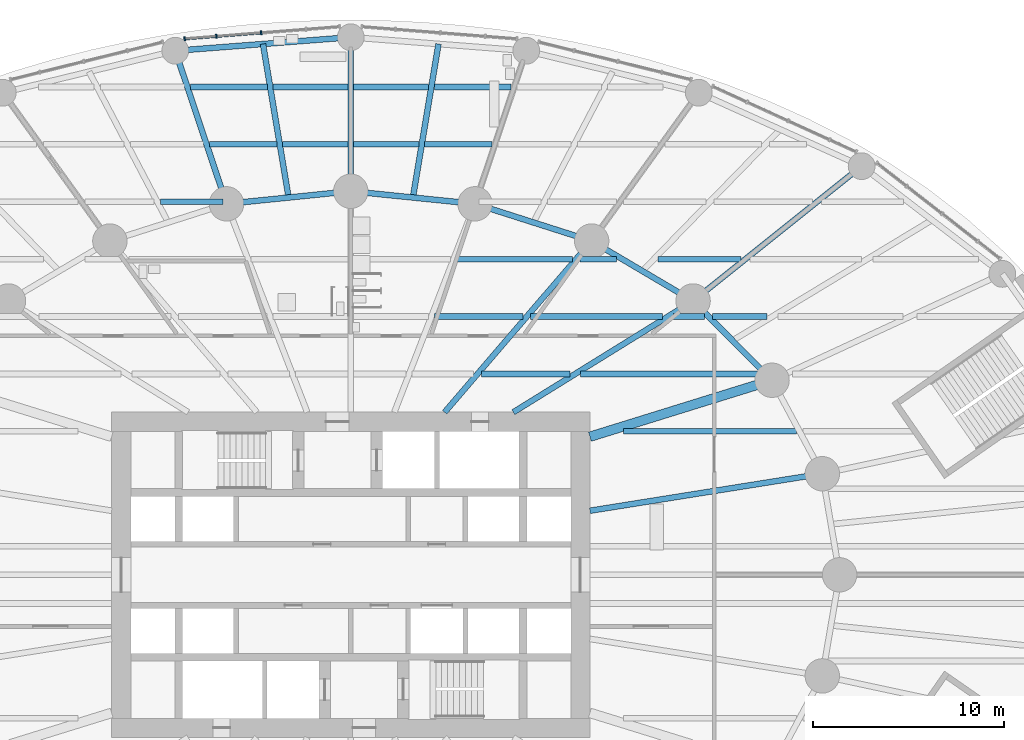
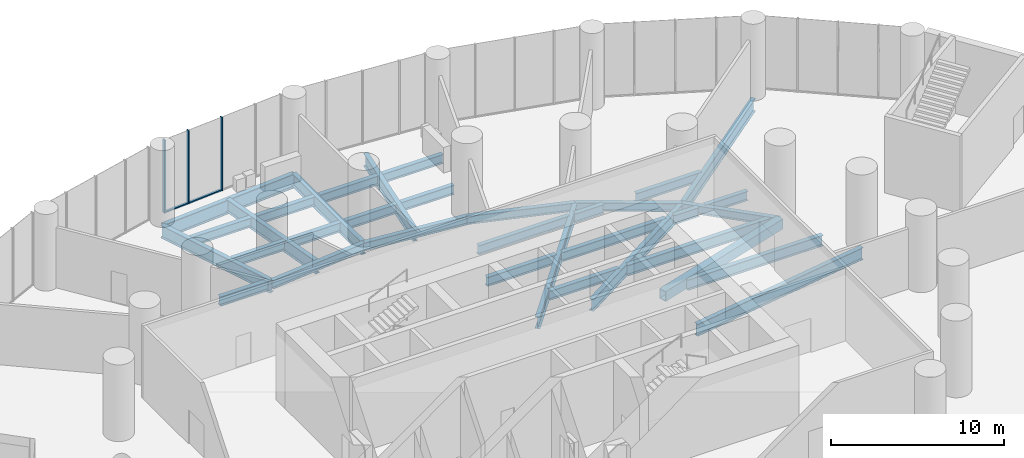
# One storey, part 9 of 23: 34 beams, 5 members, 1 element without a shape of its own.
"""IFC4 building model written with IfcOpenShell, lengths in metres."""

import ifcopenshell
import ifcopenshell.guid

model = None  # the IFC model being written
_history = None  # IfcOwnerHistory: only IFC2X3 demands one
_inside = {}  # id of a spatial element -> (the spatial element, [elements in it])
_under = {}  # id of a project, library or spatial element -> (it, [spatial elements below it])
_declared = {}  # id of a project -> (the project, [libraries it declares])
_typed = {}  # id of a type object -> (the type object, [elements of that type])
_made_of = {}  # id of a material, layer set ... -> (it, [elements and type objects made of it])


def new_model(schema):
    """Start an empty IFC model of exactly this schema.

    Asked for "IFC4X3", IfcOpenShell would pick the latest addendum, in which some entities
    have other attributes; the version numbers below select the first issue.
    IFC2X3 requires an IfcOwnerHistory on every rooted entity: one is made here for all.
    """
    global model, _history
    if schema == "IFC4X3":
        model = ifcopenshell.file(schema_version=(4, 3, 0, 0))
    else:
        model = ifcopenshell.file(schema=schema)
    _inside.clear()
    _under.clear()
    _declared.clear()
    _typed.clear()
    _made_of.clear()
    _history = None
    if model.schema == "IFC2X3":
        org = make("IfcOrganization", Name="unknown")
        user = make(
            "IfcPersonAndOrganization",
            ThePerson=make("IfcPerson", FamilyName="unknown"),
            TheOrganization=org,
        )
        app = make(
            "IfcApplication",
            ApplicationDeveloper=org,
            Version="unknown",
            ApplicationFullName="unknown",
            ApplicationIdentifier="unknown",
        )
        _history = make(
            "IfcOwnerHistory",
            OwningUser=user,
            OwningApplication=app,
            ChangeAction="ADDED",
            CreationDate=0,
        )
    return model


def make(cls, **values):
    """One entity of the class cls with the attributes given. An attribute that is None is left unset."""
    return model.create_entity(
        cls, **{name: value for name, value in values.items() if value is not None}
    )


def rooted(cls, **values):
    """An entity with a GlobalId (a new one), such as an element, a storey or a relation."""
    return make(cls, GlobalId=ifcopenshell.guid.new(), OwnerHistory=_history, **values)


def si_unit(unit_type, name, prefix=None):
    """IfcSIUnit, for example si_unit("LENGTHUNIT", "METRE", prefix="MILLI")."""
    return make("IfcSIUnit", UnitType=unit_type, Prefix=prefix, Name=name)


def assignment(units):
    """IfcUnitAssignment: the units of a project."""
    return None if units is None else make("IfcUnitAssignment", Units=units)


def point(xyz):
    """IfcCartesianPoint."""
    return None if xyz is None else make("IfcCartesianPoint", Coordinates=xyz)


def direction(xyz):
    """IfcDirection."""
    return None if xyz is None else make("IfcDirection", DirectionRatios=xyz)


def frame(location, z_axis=None, x_axis=None):
    """IfcAxis2Placement3D, a coordinate frame: its origin and axes. An axis left out is left unset."""
    return make(
        "IfcAxis2Placement3D",
        Location=point(location),
        Axis=direction(z_axis),
        RefDirection=direction(x_axis),
    )


def frame_2d(location, x_axis=None):
    """IfcAxis2Placement2D, a coordinate frame in the plane: its origin and x axis."""
    return make(
        "IfcAxis2Placement2D", Location=point(location), RefDirection=direction(x_axis)
    )


def origin():
    """The frame at (0, 0, 0) with its axes left unset."""
    return frame((0.0, 0.0, 0.0))


def origin_2d():
    """The frame at (0, 0) in the plane with its x axis left unset."""
    return frame_2d((0.0, 0.0))


def place(relative_to, where):
    """IfcLocalPlacement: puts the frame where relative to a parent placement (None: the world)."""
    return make(
        "IfcLocalPlacement", PlacementRelTo=relative_to, RelativePlacement=where
    )


def context(
    kind, dimensions, precision=None, world=None, true_north=None, identifier=None
):
    """IfcGeometricRepresentationContext, for example the 3D "Model" context."""
    return make(
        "IfcGeometricRepresentationContext",
        ContextIdentifier=identifier,
        ContextType=kind,
        CoordinateSpaceDimension=dimensions,
        Precision=precision,
        WorldCoordinateSystem=world,
        TrueNorth=true_north,
    )


def subcontext(parent, identifier, kind, view, scale=None):
    """IfcGeometricRepresentationSubContext, for example "Body" below "Model"."""
    return make(
        "IfcGeometricRepresentationSubContext",
        ContextIdentifier=identifier,
        ContextType=kind,
        ParentContext=parent,
        TargetScale=scale,
        TargetView=view,
    )


def project(units=None, contexts=None):
    """IfcProject with its units and contexts."""
    return rooted(
        "IfcProject",
        Name="project",
        RepresentationContexts=contexts,
        UnitsInContext=assignment(units),
    )


def spatial(cls, under=None, at=None, **own):
    """A site, building, storey or space (cls), placed at a placement, below another one or the project."""
    s = rooted(cls, ObjectPlacement=at, **own)
    if under is not None:
        _under.setdefault(under.id(), (under, []))[1].append(s)
    return s


def profile(cls, at=None, kind="AREA", **sizes):
    """A parametric profile (cls). Its sizes go by their IFC names, for example OverallWidth=200.0."""
    return make(cls, ProfileType=kind, Position=at, **sizes)


def rectangle(**sizes):
    """IfcRectangleProfileDef."""
    return profile("IfcRectangleProfileDef", **sizes)


def hollow_rectangle(**sizes):
    """IfcRectangleHollowProfileDef."""
    return profile("IfcRectangleHollowProfileDef", **sizes)


def i_section(**sizes):
    """IfcIShapeProfileDef."""
    return profile("IfcIShapeProfileDef", **sizes)


def extrude(swept, where, along, depth):
    """IfcExtrudedAreaSolid: the profile swept, set in the frame where, extruded along a direction by depth."""
    return make(
        "IfcExtrudedAreaSolid",
        SweptArea=swept,
        Position=where,
        ExtrudedDirection=direction(along),
        Depth=depth,
    )


def shape(context_of_items, identifier, shape_type, items):
    """IfcShapeRepresentation: the items that make up one representation, for example the "Body"."""
    return make(
        "IfcShapeRepresentation",
        ContextOfItems=context_of_items,
        RepresentationIdentifier=identifier,
        RepresentationType=shape_type,
        Items=items,
    )


def material(Name=None, Category=None):
    """IfcMaterial."""
    return make("IfcMaterial", Name=Name, Category=Category)


def material_profile(
    of_material, cross_section, Name=None, Category=None, Priority=None
):
    """IfcMaterialProfile: a cross section and its material."""
    return make(
        "IfcMaterialProfile",
        Name=Name,
        Material=of_material,
        Profile=cross_section,
        Priority=Priority,
        Category=Category,
    )


def profile_set(profiles, Name=None, composite=None):
    """IfcMaterialProfileSet."""
    return make(
        "IfcMaterialProfileSet",
        Name=Name,
        MaterialProfiles=profiles,
        CompositeProfile=composite,
    )


def made_of(thing, what):
    """Note that an element or type object is made of a material, layer set ...; save() writes the relation."""
    if what is not None:
        _made_of.setdefault(what.id(), (what, []))[1].append(thing)
    return thing


def type_object(cls, material=None, **own):
    """A type object (cls), such as IfcWallType, which elements share."""
    return made_of(rooted(cls, **own), material)


def element(
    cls,
    number,
    at=None,
    inside=None,
    cuts=None,
    type_object=None,
    material=None,
    context=None,
    identifier="Body",
    shape_type=None,
    held_by="IfcProductDefinitionShape",
    body=None,
    shapes=None,
    **own,
):
    """One element of the class cls, such as IfcWall. Its Tag is "e" and its number.

    at: its placement. inside: the storey or other place that contains it. cuts: it is an
    opening in that element (IfcRelVoidsElement). A single representation is given by context,
    identifier, shape_type and body (its items); several are given by shapes. held_by: the class
    of the entity that holds the representations. save() writes the other relations.
    """
    e = rooted(cls, Tag="e%d" % number, ObjectPlacement=at, **own)
    if body is not None:
        shapes = [shape(context, identifier, shape_type, body)]
    if shapes is not None:
        e.Representation = make(held_by, Representations=shapes)
    if inside is not None:
        _inside.setdefault(inside.id(), (inside, []))[1].append(e)
    if cuts is not None:
        rooted(
            "IfcRelVoidsElement", RelatingBuildingElement=cuts, RelatedOpeningElement=e
        )
    if type_object is not None:
        _typed.setdefault(type_object.id(), (type_object, []))[1].append(e)
    return made_of(e, material)


def aggregate(whole, parts):
    """IfcRelAggregates: a whole, such as a stair, and the parts it consists of."""
    return rooted("IfcRelAggregates", RelatingObject=whole, RelatedObjects=parts)


def save(model, path):
    """Write the relations noted so far, then the file.

    IfcRelAggregates (storeys below a building ...), IfcRelContainedInSpatialStructure (elements
    in a storey), IfcRelDefinesByType, IfcRelAssociatesMaterial and IfcRelDeclares: one each for
    every whole, place, type object, material and project.
    """
    for whole, parts in _under.values():
        aggregate(whole, parts)
    for where, things in _inside.values():
        rooted(
            "IfcRelContainedInSpatialStructure",
            RelatedElements=things,
            RelatingStructure=where,
        )
    for kind, things in _typed.values():
        rooted("IfcRelDefinesByType", RelatedObjects=things, RelatingType=kind)
    for what, things in _made_of.values():
        rooted("IfcRelAssociatesMaterial", RelatedObjects=things, RelatingMaterial=what)
    for by, libraries in _declared.values():
        rooted("IfcRelDeclares", RelatingContext=by, RelatedDefinitions=libraries)
    model.write(path)


model = new_model("IFC4")

# Units and contexts
model_context = context("Model", 3, precision=1e-05, world=origin(), true_north=direction((0.0, 1.0)))
body_context = subcontext(model_context, "Body", "Model", "MODEL_VIEW")
ifc_project = project(units=[si_unit("LENGTHUNIT", "METRE"), si_unit("AREAUNIT", "SQUARE_METRE"), si_unit("VOLUMEUNIT", "CUBIC_METRE"), si_unit("PLANEANGLEUNIT", "RADIAN"), si_unit("MASSUNIT", "GRAM", prefix="KILO")], contexts=[model_context])

# Site, building, storey
site_placement = place(None, origin())
site = spatial("IfcSite", under=ifc_project, at=site_placement, CompositionType="ELEMENT")
building_placement = place(site_placement, origin())
building = spatial("IfcBuilding", under=site, at=building_placement, Name="Hankou Lantern Tower", CompositionType="ELEMENT")
storey_placement = place(building_placement, frame((0.0, 0.0, 19.199951171875)))
storey = spatial("IfcBuildingStorey", under=building, at=storey_placement, Name="L03", CompositionType="ELEMENT", Elevation=19.199951171875)

# Beams
ifc_material_1 = material(Name="Steel Q355B", Category="steel")
ifc_material_profile_1 = material_profile(ifc_material_1, i_section(OverallWidth=0.300048828125, OverallDepth=0.587890625, WebThickness=0.011962890625, FlangeThickness=0.02001953125, FilletRadius=0.01806640625, at=origin_2d()), Name="HM588x300x12x20")
ifc_profile_set_1 = profile_set([ifc_material_profile_1], Name="Steel Q355B")
beam_type_1 = type_object("IfcBeamType", Name="EB16 RING BEAM HM588x300x12x20", PredefinedType="SPANDREL", material=ifc_profile_set_1)
beam_1_placement = place(storey_placement, frame((22.01904296875, 10.170166015625, -0.5439453125), z_axis=(-0.705727798394, 0.708483079949, 0.0), x_axis=(-0.708483079949, -0.705727798394, 0.0)))
element("IfcBeam", 1, at=beam_1_placement, inside=storey, type_object=beam_type_1, Name="Ring beam R03-R04 L03", PredefinedType="SPANDREL", context=body_context, shape_type="SweptSolid", body=[
    extrude(i_section(OverallWidth=0.300048828125, OverallDepth=0.587890625, WebThickness=0.011962890625, FlangeThickness=0.02001953125, FilletRadius=0.01806640625, at=origin_2d()), origin(), (0.0, 0.0, 1.0), 5.84814453125),
])
beam_2_placement = place(storey_placement, frame((17.891845703125, 14.3134765625, -0.5439453125), z_axis=(-0.860881533543, 0.508805449268, 0.0), x_axis=(-0.508805449268, -0.860881533543, 0.0)))
element("IfcBeam", 2, at=beam_2_placement, inside=storey, type_object=beam_type_1, Name="Ring beam R04-R05 L03", PredefinedType="SPANDREL", context=body_context, shape_type="SweptSolid", body=[
    extrude(i_section(OverallWidth=0.300048828125, OverallDepth=0.587890625, WebThickness=0.011962890625, FlangeThickness=0.02001953125, FilletRadius=0.01806640625, at=origin_2d()), origin(), (0.0, 0.0, 1.0), 6.15771484375),
])
beam_3_placement = place(storey_placement, frame((12.5908203125, 17.446533203125, -0.5439453125), z_axis=(-0.952690479428, 0.303942182671, 0.0), x_axis=(-0.303942182671, -0.952690479428, 0.0)))
element("IfcBeam", 3, at=beam_3_placement, inside=storey, type_object=beam_type_1, Name="Ring beam R05-R06 L03", PredefinedType="SPANDREL", context=body_context, shape_type="SweptSolid", body=[
    extrude(i_section(OverallWidth=0.300048828125, OverallDepth=0.587890625, WebThickness=0.011962890625, FlangeThickness=0.02001953125, FilletRadius=0.01806640625, at=origin_2d()), origin(), (0.0, 0.0, 1.0), 6.398681640625),
])
for number, where, z_axis, x_axis, name in (
    (4, (6.494873046875, 19.391357421875, -0.5439453125), (-0.994896616842, 0.100899562915, 0.0), (-0.100899562915, -0.994896616842, 0.0), "Ring beam R06-R07 L03"),
    (5, (0.0, 20.050048828125, -0.5439453125), (-0.994896616842, -0.100899562915, 0.0), (0.100899562915, -0.994896616842, 0.0), "Ring beam R07-R08 L03"),
):
    element("IfcBeam", number, at=place(storey_placement, frame(where, z_axis=z_axis, x_axis=x_axis)), inside=storey, type_object=beam_type_1, Name=name, PredefinedType="SPANDREL", context=body_context, shape_type="SweptSolid", body=[
        extrude(i_section(OverallWidth=0.300048828125, OverallDepth=0.587890625, WebThickness=0.011962890625, FlangeThickness=0.02001953125, FilletRadius=0.01806640625, at=origin_2d()), origin(), (0.0, 0.0, 1.0), 6.528076171875),
    ])

# Curtain wall, members
ifc_material_2 = material(Name="Glass, dark grey tinted laminated", Category="glass")
curtain_wall_type = type_object("IfcCurtainWallType", Name="CWP PODIUM CURTAIN WALL", PredefinedType="USERDEFINED", material=ifc_material_2)
curtain_wall_placement = place(storey_placement, origin())
curtain_wall = element("IfcCurtainWall", 6, at=curtain_wall_placement, inside=storey, type_object=curtain_wall_type, Name="CWP L03 PC05", ObjectType="PODIUM GLAZING", PredefinedType="USERDEFINED")
ifc_material_3 = material(Name="Aluminium, black anodised", Category="aluminium")
ifc_material_profile_2 = material_profile(ifc_material_3, rectangle(XDim=0.080078125, YDim=0.199951171875, at=origin_2d()), Name="MU2 80X200")
ifc_profile_set_2 = profile_set([ifc_material_profile_2], Name="Aluminium, black anodised")
member_type_1 = type_object("IfcMemberType", Name="MU2 PODIUM MULLION 80X200", PredefinedType="MULLION", material=ifc_profile_set_2)
member_1_placement = place(storey_placement, frame((-4.68359375, 28.333251953125, 0.0), z_axis=(0.0, 0.0, 1.0), x_axis=(-0.996948515213, -0.078061885796, 0.0)))
member_1 = element("IfcMember", 7, at=member_1_placement, type_object=member_type_1, Name="CWP mullion 3", PredefinedType="MULLION", context=body_context, shape_type="SweptSolid", body=[
    extrude(rectangle(XDim=0.080078125, YDim=0.199951171875, at=origin_2d()), origin(), (0.0, 0.0, 1.0), 5.150146484375),
])
member_2_placement = place(storey_placement, frame((-7.025146484375, 28.14990234375, 0.0), z_axis=(0.0, 0.0, 1.0), x_axis=(-0.996948515213, -0.078061885796, 0.0)))
member_2 = element("IfcMember", 8, at=member_2_placement, type_object=member_type_1, Name="CWP mullion 4", PredefinedType="MULLION", context=body_context, shape_type="SweptSolid", body=[
    extrude(rectangle(XDim=0.080078125, YDim=0.199951171875, at=origin_2d()), origin(), (0.0, 0.0, 1.0), 5.150146484375),
])
member_3_placement = place(storey_placement, frame((-8.678955078125, 28.0205078125, 0.0), z_axis=(0.0, 0.0, 1.0), x_axis=(-0.996948515213, -0.078061885796, 0.0)))
member_3 = element("IfcMember", 9, at=member_3_placement, type_object=member_type_1, Name="CWP mullion 5", PredefinedType="MULLION", context=body_context, shape_type="SweptSolid", body=[
    extrude(rectangle(XDim=0.080078125, YDim=0.199951171875, at=origin_2d()), origin(), (0.0, 0.0, 1.0), 5.150146484375),
])

# Beams
ifc_material_4 = material(Name="Steel Q355B", Category="steel")
ifc_material_profile_3 = material_profile(ifc_material_4, i_section(OverallWidth=0.300048828125, OverallDepth=0.89990234375, WebThickness=0.01611328125, FlangeThickness=0.028076171875, FilletRadius=0.01806640625, at=origin_2d()), Name="HN900x300x16x28")
ifc_profile_set_3 = profile_set([ifc_material_profile_3], Name="Steel Q355B")
beam_type_2 = type_object("IfcBeamType", Name="PB13 PODIUM RADIAL BEAM HN900x300x16x28", PredefinedType="BEAM", material=ifc_profile_set_3)
beam_4_placement = place(storey_placement, frame((17.891845703125, 14.3134765625, -0.699951171875), z_axis=(0.780875142676, 0.624687130931, 0.0), x_axis=(-0.624687130931, 0.780875142676, 0.0)))
element("IfcBeam", 10, at=beam_4_placement, inside=storey, type_object=beam_type_2, Name="Podium radial beam R04 L03", PredefinedType="BEAM", context=body_context, shape_type="SweptSolid", body=[
    extrude(i_section(OverallWidth=0.300048828125, OverallDepth=0.89990234375, WebThickness=0.01611328125, FlangeThickness=0.028076171875, FilletRadius=0.01806640625, at=origin_2d()), origin(), (0.0, 0.0, 1.0), 11.28271484375),
])
beam_5_placement = place(storey_placement, frame((0.0, 20.050048828125, -0.699951171875), z_axis=(0.0, 1.0, 0.0), x_axis=(-1.0, 0.0, 0.0)))
element("IfcBeam", 11, at=beam_5_placement, inside=storey, type_object=beam_type_2, Name="Podium radial beam R07 L03", PredefinedType="BEAM", context=body_context, shape_type="SweptSolid", body=[
    extrude(i_section(OverallWidth=0.300048828125, OverallDepth=0.89990234375, WebThickness=0.01611328125, FlangeThickness=0.028076171875, FilletRadius=0.01806640625, at=origin_2d()), origin(), (0.0, 0.0, 1.0), 8.050048828125),
])
beam_6_placement = place(storey_placement, frame((-6.494873046875, 19.391357421875, -0.699951171875), z_axis=(-0.317599116391, 0.948225079434, 0.0), x_axis=(-0.948225079434, -0.317599116391, 0.0)))
element("IfcBeam", 12, at=beam_6_placement, inside=storey, type_object=beam_type_2, Name="Podium radial beam R08 L03", PredefinedType="BEAM", context=body_context, shape_type="SweptSolid", body=[
    extrude(i_section(OverallWidth=0.300048828125, OverallDepth=0.89990234375, WebThickness=0.01611328125, FlangeThickness=0.028076171875, FilletRadius=0.01806640625, at=origin_2d()), origin(), (0.0, 0.0, 1.0), 8.4365234375),
])
ifc_material_5 = material(Name="Steel Q355B", Category="steel")
ifc_material_profile_4 = material_profile(ifc_material_5, i_section(OverallWidth=0.300048828125, OverallDepth=1.0, WebThickness=0.01904296875, FlangeThickness=0.035888671875, FilletRadius=0.01806640625, at=origin_2d()), Name="HN1000x300x19x36")
ifc_profile_set_4 = profile_set([ifc_material_profile_4], Name="Steel Q355B")
beam_type_3 = type_object("IfcBeamType", Name="PR22 PODIUM RING BEAM HN1000x300x19x36", PredefinedType="BEAM", material=ifc_profile_set_4)
beam_7_placement = place(storey_placement, frame((0.0, 28.10009765625, -0.75), z_axis=(-0.997027266507, -0.077049528499, 0.0), x_axis=(0.077049528499, -0.997027266507, 0.0)))
element("IfcBeam", 13, at=beam_7_placement, inside=storey, type_object=beam_type_3, Name="Podium ring beam R07-R08 L03", PredefinedType="BEAM", context=body_context, shape_type="SweptSolid", body=[
    extrude(i_section(OverallWidth=0.300048828125, OverallDepth=1.0, WebThickness=0.01904296875, FlangeThickness=0.035888671875, FilletRadius=0.01806640625, at=origin_2d()), origin(), (0.0, 0.0, 1.0), 9.20166015625),
])
ifc_material_6 = material(Name="Steel Q355B", Category="steel")
ifc_material_profile_5 = material_profile(ifc_material_6, i_section(OverallWidth=0.300048828125, OverallDepth=0.89990234375, WebThickness=0.01611328125, FlangeThickness=0.028076171875, FilletRadius=0.01806640625, at=origin_2d()), Name="HN900x300x16x28")
ifc_profile_set_5 = profile_set([ifc_material_profile_5], Name="Steel Q355B")
beam_type_4 = type_object("IfcBeamType", Name="PS13 PODIUM SECONDARY BEAM HN900x300x16x28", PredefinedType="JOIST", material=ifc_profile_set_5)
for number, where, z_axis, x_axis, name in (
    (14, (3.24755859375, 19.720703125, -0.699951171875), (0.164652019445, 0.986351718452, 0.0), (-0.986351718452, 0.164652019445, 0.0), "Podium secondary beam bay R06 L03"),
    (15, (-3.24755859375, 19.720703125, -0.699951171875), (-0.164652019445, 0.986351718452, 0.0), (-0.986351718452, -0.164652019445, 0.0), "Podium secondary beam bay R07 L03"),
):
    element("IfcBeam", number, at=place(storey_placement, frame(where, z_axis=z_axis, x_axis=x_axis)), inside=storey, type_object=beam_type_4, Name=name, PredefinedType="JOIST", context=body_context, shape_type="SweptSolid", body=[
        extrude(i_section(OverallWidth=0.300048828125, OverallDepth=0.89990234375, WebThickness=0.01611328125, FlangeThickness=0.028076171875, FilletRadius=0.01806640625, at=origin_2d()), origin(), (0.0, 0.0, 1.0), 8.135986328125),
    ])
ifc_material_7 = material(Name="Steel Q355B", Category="steel")
ifc_material_profile_6 = material_profile(ifc_material_7, i_section(OverallWidth=0.300048828125, OverallDepth=0.85009765625, WebThickness=0.01611328125, FlangeThickness=0.027099609375, FilletRadius=0.01806640625, at=origin_2d()), Name="HN850x300x16x27")
ifc_profile_set_6 = profile_set([ifc_material_profile_6], Name="Steel Q355B")
beam_type_5 = type_object("IfcBeamType", Name="RB12 RADIAL BEAM HN850x300x16x27", PredefinedType="BEAM", material=ifc_profile_set_6)
beam_8_placement = place(storey_placement, frame((12.5, 3.349365234375, -0.675048828125), z_axis=(0.987563081343, 0.157223281893, 0.0), x_axis=(-0.157223281893, 0.987563081343, 0.0)))
element("IfcBeam", 16, at=beam_8_placement, inside=storey, type_object=beam_type_5, Name="Radial beam R02 L03", PredefinedType="BEAM", context=body_context, shape_type="SweptSolid", body=[
    extrude(i_section(OverallWidth=0.300048828125, OverallDepth=0.85009765625, WebThickness=0.01611328125, FlangeThickness=0.027099609375, FilletRadius=0.01806640625, at=origin_2d()), origin(), (0.0, 0.0, 1.0), 12.300048828125),
])
beam_9_placement = place(storey_placement, frame((8.5, 8.5, -0.675048828125), z_axis=(0.850286343288, 0.526320372414, 0.0), x_axis=(-0.526320372414, 0.850286343288, 0.0)))
element("IfcBeam", 17, at=beam_9_placement, inside=storey, type_object=beam_type_5, Name="Radial beam R04 L03", PredefinedType="BEAM", context=body_context, shape_type="SweptSolid", body=[
    extrude(i_section(OverallWidth=0.300048828125, OverallDepth=0.85009765625, WebThickness=0.01611328125, FlangeThickness=0.027099609375, FilletRadius=0.01806640625, at=origin_2d()), origin(), (0.0, 0.0, 1.0), 11.04541015625),
])
beam_10_placement = place(storey_placement, frame((4.907470703125, 8.5, -0.675048828125), z_axis=(0.651519061225, 0.758632264579, 0.0), x_axis=(-0.758632264579, 0.651519061225, 0.0)))
element("IfcBeam", 18, at=beam_10_placement, inside=storey, type_object=beam_type_5, Name="Radial beam R05 L03", PredefinedType="BEAM", context=body_context, shape_type="SweptSolid", body=[
    extrude(i_section(OverallWidth=0.300048828125, OverallDepth=0.85009765625, WebThickness=0.01611328125, FlangeThickness=0.027099609375, FilletRadius=0.01806640625, at=origin_2d()), origin(), (0.0, 0.0, 1.0), 11.79296875),
])
ifc_material_8 = material(Name="Steel Q355B", Category="steel")
ifc_material_profile_7 = material_profile(ifc_material_8, hollow_rectangle(XDim=0.5, YDim=0.699951171875, WallThickness=0.0400390625, at=origin_2d()), Name="BOX700x500x40")
ifc_profile_set_7 = profile_set([ifc_material_profile_7], Name="Steel Q355B")
beam_type_6 = type_object("IfcBeamType", Name="RB25 RADIAL BEAM BOX700x500x40", PredefinedType="BEAM", material=ifc_profile_set_7)
beam_11_placement = place(storey_placement, frame((12.5, 7.216796875, -0.599853515625), z_axis=(0.955087327755, 0.29632447817, 0.0), x_axis=(-0.29632447817, 0.955087327755, 0.0)))
element("IfcBeam", 19, at=beam_11_placement, inside=storey, type_object=beam_type_6, Name="Radial beam R03 L03", PredefinedType="BEAM", context=body_context, shape_type="SweptSolid", body=[
    extrude(hollow_rectangle(XDim=0.5, YDim=0.699951171875, WallThickness=0.0400390625, at=origin_2d()), origin(), (0.0, 0.0, 1.0), 9.966552734375),
])
ifc_material_9 = material(Name="Steel Q355B", Category="steel")
ifc_material_profile_8 = material_profile(ifc_material_9, i_section(OverallWidth=0.300048828125, OverallDepth=0.75, WebThickness=0.012939453125, FlangeThickness=0.02392578125, FilletRadius=0.01806640625, at=origin_2d()), Name="HN750x300x13x24")
ifc_profile_set_8 = profile_set([ifc_material_profile_8], Name="Steel Q355B")
beam_type_7 = type_object("IfcBeamType", Name="SB10 SECONDARY BEAM HN750x300x13x24", PredefinedType="JOIST", material=ifc_profile_set_8)
beam_12_placement = place(storey_placement, frame((14.25634765625, 7.5, -0.625), z_axis=(1.0, 0.0, 0.0), x_axis=(0.0, 1.0, 0.0)))
element("IfcBeam", 20, at=beam_12_placement, inside=storey, type_object=beam_type_7, Name="Floor joist J098 L03", PredefinedType="JOIST", context=body_context, shape_type="SweptSolid", body=[
    extrude(i_section(OverallWidth=0.300048828125, OverallDepth=0.75, WebThickness=0.012939453125, FlangeThickness=0.02392578125, FilletRadius=0.01806640625, at=origin_2d()), origin(), (0.0, 0.0, 1.0), 9.0283203125),
])
beam_13_placement = place(storey_placement, frame((12.01611328125, 10.5, -0.625), z_axis=(1.0, 0.0, 0.0), x_axis=(0.0, 1.0, 0.0)))
element("IfcBeam", 21, at=beam_13_placement, inside=storey, type_object=beam_type_7, Name="Floor joist J109 L03", PredefinedType="JOIST", context=body_context, shape_type="SweptSolid", body=[
    extrude(i_section(OverallWidth=0.300048828125, OverallDepth=0.75, WebThickness=0.012939453125, FlangeThickness=0.02392578125, FilletRadius=0.01806640625, at=origin_2d()), origin(), (0.0, 0.0, 1.0), 9.462646484375),
])
ifc_material_10 = material(Name="Steel Q355B", Category="steel")
ifc_material_profile_9 = material_profile(ifc_material_10, i_section(OverallWidth=0.300048828125, OverallDepth=0.64990234375, WebThickness=0.010986328125, FlangeThickness=0.01708984375, FilletRadius=0.01806640625, at=origin_2d()), Name="HN650x300x11x17")
ifc_profile_set_9 = profile_set([ifc_material_profile_9], Name="Steel Q355B")
beam_type_8 = type_object("IfcBeamType", Name="SB8 SECONDARY BEAM HN650x300x11x17", PredefinedType="JOIST", material=ifc_profile_set_9)
beam_14_placement = place(storey_placement, frame((6.82275390625, 10.5, -0.574951171875), z_axis=(1.0, 0.0, 0.0), x_axis=(0.0, 1.0, 0.0)))
element("IfcBeam", 22, at=beam_14_placement, inside=storey, type_object=beam_type_8, Name="Floor joist J108 L03", PredefinedType="JOIST", context=body_context, shape_type="SweptSolid", body=[
    extrude(i_section(OverallWidth=0.300048828125, OverallDepth=0.64990234375, WebThickness=0.010986328125, FlangeThickness=0.01708984375, FilletRadius=0.01806640625, at=origin_2d()), origin(), (0.0, 0.0, 1.0), 4.623291015625),
])
beam_15_placement = place(storey_placement, frame((4.37451171875, 13.5, -0.574951171875), z_axis=(1.0, 0.0, 0.0), x_axis=(0.0, 1.0, 0.0)))
element("IfcBeam", 23, at=beam_15_placement, inside=storey, type_object=beam_type_8, Name="Floor joist J119 L03", PredefinedType="JOIST", context=body_context, shape_type="SweptSolid", body=[
    extrude(i_section(OverallWidth=0.300048828125, OverallDepth=0.64990234375, WebThickness=0.010986328125, FlangeThickness=0.01708984375, FilletRadius=0.01806640625, at=origin_2d()), origin(), (0.0, 0.0, 1.0), 4.62939453125),
])
beam_16_placement = place(storey_placement, frame((9.3994140625, 13.5, -0.574951171875), z_axis=(1.0, 0.0, 0.0), x_axis=(0.0, 1.0, 0.0)))
element("IfcBeam", 24, at=beam_16_placement, inside=storey, type_object=beam_type_8, Name="Floor joist J120 L03", PredefinedType="JOIST", context=body_context, shape_type="SweptSolid", body=[
    extrude(i_section(OverallWidth=0.300048828125, OverallDepth=0.64990234375, WebThickness=0.010986328125, FlangeThickness=0.01708984375, FilletRadius=0.01806640625, at=origin_2d()), origin(), (0.0, 0.0, 1.0), 6.893310546875),
])
beam_17_placement = place(storey_placement, frame((16.86279296875, 13.5, -0.574951171875), z_axis=(1.0, 0.0, 0.0), x_axis=(0.0, 1.0, 0.0)))
element("IfcBeam", 25, at=beam_17_placement, inside=storey, type_object=beam_type_8, Name="Floor joist J121 L03", PredefinedType="JOIST", context=body_context, shape_type="SweptSolid", body=[
    extrude(i_section(OverallWidth=0.300048828125, OverallDepth=0.64990234375, WebThickness=0.010986328125, FlangeThickness=0.01708984375, FilletRadius=0.01806640625, at=origin_2d()), origin(), (0.0, 0.0, 1.0), 1.62744140625),
])
beam_18_placement = place(storey_placement, frame((18.913818359375, 13.5, -0.574951171875), z_axis=(1.0, 0.0, 0.0), x_axis=(0.0, 1.0, 0.0)))
element("IfcBeam", 26, at=beam_18_placement, inside=storey, type_object=beam_type_8, Name="Floor joist J122 L03", PredefinedType="JOIST", context=body_context, shape_type="SweptSolid", body=[
    extrude(i_section(OverallWidth=0.300048828125, OverallDepth=0.64990234375, WebThickness=0.010986328125, FlangeThickness=0.01708984375, FilletRadius=0.01806640625, at=origin_2d()), origin(), (0.0, 0.0, 1.0), 2.832275390625),
])
beam_19_placement = place(storey_placement, frame((5.5361328125, 16.5, -0.574951171875), z_axis=(1.0, 0.0, 0.0), x_axis=(0.0, 1.0, 0.0)))
element("IfcBeam", 27, at=beam_19_placement, inside=storey, type_object=beam_type_8, Name="Floor joist J132 L03", PredefinedType="JOIST", context=body_context, shape_type="SweptSolid", body=[
    extrude(i_section(OverallWidth=0.300048828125, OverallDepth=0.64990234375, WebThickness=0.010986328125, FlangeThickness=0.01708984375, FilletRadius=0.01806640625, at=origin_2d()), origin(), (0.0, 0.0, 1.0), 6.044189453125),
])
beam_20_placement = place(storey_placement, frame((11.975830078125, 16.5, -0.574951171875), z_axis=(1.0, 0.0, 0.0), x_axis=(0.0, 1.0, 0.0)))
element("IfcBeam", 28, at=beam_20_placement, inside=storey, type_object=beam_type_8, Name="Floor joist J133 L03", PredefinedType="JOIST", context=body_context, shape_type="SweptSolid", body=[
    extrude(i_section(OverallWidth=0.300048828125, OverallDepth=0.64990234375, WebThickness=0.010986328125, FlangeThickness=0.01708984375, FilletRadius=0.01806640625, at=origin_2d()), origin(), (0.0, 0.0, 1.0), 1.921630859375),
])
beam_21_placement = place(storey_placement, frame((16.05419921875, 16.5, -0.574951171875), z_axis=(1.0, 0.0, 0.0), x_axis=(0.0, 1.0, 0.0)))
element("IfcBeam", 29, at=beam_21_placement, inside=storey, type_object=beam_type_8, Name="Floor joist J134 L03", PredefinedType="JOIST", context=body_context, shape_type="SweptSolid", body=[
    extrude(i_section(OverallWidth=0.300048828125, OverallDepth=0.64990234375, WebThickness=0.010986328125, FlangeThickness=0.01708984375, FilletRadius=0.01806640625, at=origin_2d()), origin(), (0.0, 0.0, 1.0), 4.33056640625),
])
beam_22_placement = place(storey_placement, frame((-9.94140625, 19.5, -0.574951171875), z_axis=(1.0, 0.0, 0.0), x_axis=(0.0, 1.0, 0.0)))
element("IfcBeam", 30, at=beam_22_placement, inside=storey, type_object=beam_type_8, Name="Floor joist J141 L03", PredefinedType="JOIST", context=body_context, shape_type="SweptSolid", body=[
    extrude(i_section(OverallWidth=0.300048828125, OverallDepth=0.64990234375, WebThickness=0.010986328125, FlangeThickness=0.01708984375, FilletRadius=0.01806640625, at=origin_2d()), origin(), (0.0, 0.0, 1.0), 3.251953125),
])
beam_23_placement = place(storey_placement, frame((-7.3779296875, 22.5, -0.574951171875), z_axis=(1.0, 0.0, 0.0), x_axis=(0.0, 1.0, 0.0)))
element("IfcBeam", 31, at=beam_23_placement, inside=storey, type_object=beam_type_8, Name="Floor joist J153 L03", PredefinedType="JOIST", context=body_context, shape_type="SweptSolid", body=[
    extrude(i_section(OverallWidth=0.300048828125, OverallDepth=0.64990234375, WebThickness=0.010986328125, FlangeThickness=0.01708984375, FilletRadius=0.01806640625, at=origin_2d()), origin(), (0.0, 0.0, 1.0), 3.514404296875),
])
for number, where, z_axis, x_axis, name in (
    (32, (-3.559326171875, 22.5, -0.574951171875), (1.0, 0.0, 0.0), (0.0, 1.0, 0.0), "Floor joist J154 L03"),
    (33, (0.14990234375, 22.5, -0.574951171875), (1.0, 0.0, 0.0), (0.0, 1.0, 0.0), "Floor joist J155 L03"),
):
    element("IfcBeam", number, at=place(storey_placement, frame(where, z_axis=z_axis, x_axis=x_axis)), inside=storey, type_object=beam_type_8, Name=name, PredefinedType="JOIST", context=body_context, shape_type="SweptSolid", body=[
        extrude(i_section(OverallWidth=0.300048828125, OverallDepth=0.64990234375, WebThickness=0.010986328125, FlangeThickness=0.01708984375, FilletRadius=0.01806640625, at=origin_2d()), origin(), (0.0, 0.0, 1.0), 3.409423828125),
    ])
beam_24_placement = place(storey_placement, frame((3.863525390625, 22.5, -0.574951171875), z_axis=(1.0, 0.0, 0.0), x_axis=(0.0, 1.0, 0.0)))
element("IfcBeam", 34, at=beam_24_placement, inside=storey, type_object=beam_type_8, Name="Floor joist J156 L03", PredefinedType="JOIST", context=body_context, shape_type="SweptSolid", body=[
    extrude(i_section(OverallWidth=0.300048828125, OverallDepth=0.64990234375, WebThickness=0.010986328125, FlangeThickness=0.01708984375, FilletRadius=0.01806640625, at=origin_2d()), origin(), (0.0, 0.0, 1.0), 3.514404296875),
])
beam_25_placement = place(storey_placement, frame((-8.3828125, 25.5, -0.574951171875), z_axis=(1.0, 0.0, 0.0), x_axis=(0.0, 1.0, 0.0)))
element("IfcBeam", 35, at=beam_25_placement, inside=storey, type_object=beam_type_8, Name="Floor joist J163 L03", PredefinedType="JOIST", context=body_context, shape_type="SweptSolid", body=[
    extrude(i_section(OverallWidth=0.300048828125, OverallDepth=0.64990234375, WebThickness=0.010986328125, FlangeThickness=0.01708984375, FilletRadius=0.01806640625, at=origin_2d()), origin(), (0.0, 0.0, 1.0), 4.0185546875),
])
for number, where, z_axis, x_axis, name in (
    (36, (-4.060302734375, 25.5, -0.574951171875), (1.0, 0.0, 0.0), (0.0, 1.0, 0.0), "Floor joist J164 L03"),
    (37, (0.14990234375, 25.5, -0.574951171875), (1.0, 0.0, 0.0), (0.0, 1.0, 0.0), "Floor joist J165 L03"),
):
    element("IfcBeam", number, at=place(storey_placement, frame(where, z_axis=z_axis, x_axis=x_axis)), inside=storey, type_object=beam_type_8, Name=name, PredefinedType="JOIST", context=body_context, shape_type="SweptSolid", body=[
        extrude(i_section(OverallWidth=0.300048828125, OverallDepth=0.64990234375, WebThickness=0.010986328125, FlangeThickness=0.01708984375, FilletRadius=0.01806640625, at=origin_2d()), origin(), (0.0, 0.0, 1.0), 3.910400390625),
    ])
beam_26_placement = place(storey_placement, frame((4.3642578125, 25.5, -0.574951171875), z_axis=(1.0, 0.0, 0.0), x_axis=(0.0, 1.0, 0.0)))
element("IfcBeam", 38, at=beam_26_placement, inside=storey, type_object=beam_type_8, Name="Floor joist J166 L03", PredefinedType="JOIST", context=body_context, shape_type="SweptSolid", body=[
    extrude(i_section(OverallWidth=0.300048828125, OverallDepth=0.64990234375, WebThickness=0.010986328125, FlangeThickness=0.01708984375, FilletRadius=0.01806640625, at=origin_2d()), origin(), (0.0, 0.0, 1.0), 4.0185546875),
])

# Member
ifc_material_11 = material(Name="Aluminium, black anodised", Category="aluminium")
ifc_material_profile_10 = material_profile(ifc_material_11, rectangle(XDim=0.14990234375, YDim=0.080078125, at=origin_2d()), Name="TR2 150X80")
ifc_profile_set_10 = profile_set([ifc_material_profile_10], Name="Aluminium, black anodised")
member_type_2 = type_object("IfcMemberType", Name="TR2 PODIUM TRANSOM 150X80", PredefinedType="USERDEFINED", material=ifc_profile_set_10)
member_4_placement = place(storey_placement, frame((-4.723388671875, 28.330078125, 0.0400390625), z_axis=(-0.996952341782, -0.078013000301, 0.0), x_axis=(0.078013000301, -0.996952341782, 0.0)))
member_4 = element("IfcMember", 39, at=member_4_placement, type_object=member_type_2, Name="CWP transom 3", ObjectType="TRANSOM", PredefinedType="USERDEFINED", context=body_context, shape_type="SweptSolid", body=[
    extrude(rectangle(XDim=0.14990234375, YDim=0.080078125, at=origin_2d()), origin(), (0.0, 0.0, 1.0), 2.268798828125),
])

member_5_placement = place(storey_placement, frame((-7.065185546875, 28.146728515625, 0.0400390625), z_axis=(-0.996957260436, -0.077950117788, 0.0), x_axis=(0.077950117788, -0.996957260436, 0.0)))
member_5 = element("IfcMember", 40, at=member_5_placement, type_object=member_type_2, Name="CWP transom 4", ObjectType="TRANSOM", PredefinedType="USERDEFINED", context=body_context, shape_type="SweptSolid", body=[
    extrude(rectangle(XDim=0.14990234375, YDim=0.080078125, at=origin_2d()), origin(), (0.0, 0.0, 1.0), 1.57861328125),
])

aggregate(curtain_wall, [member_1, member_2, member_3, member_4, member_5])

save(model, "model.ifc")
